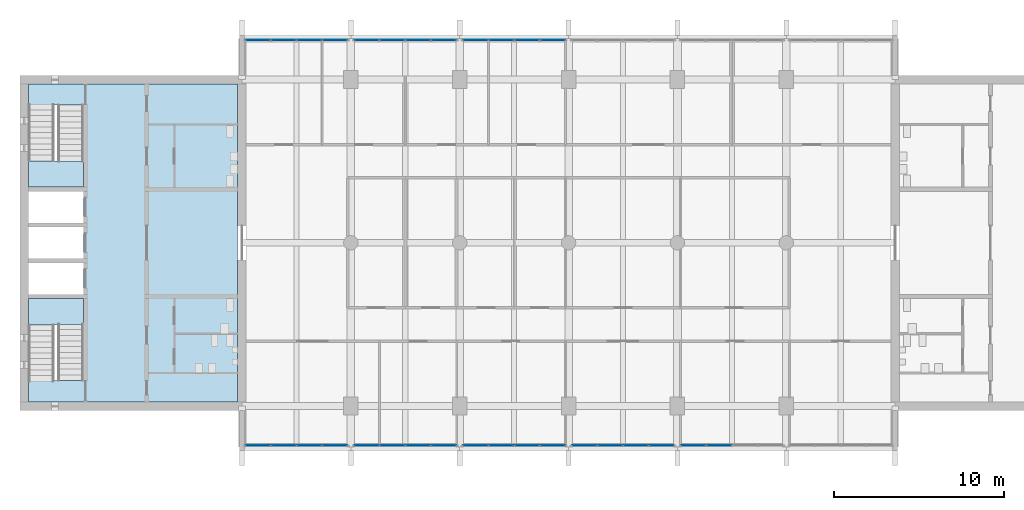
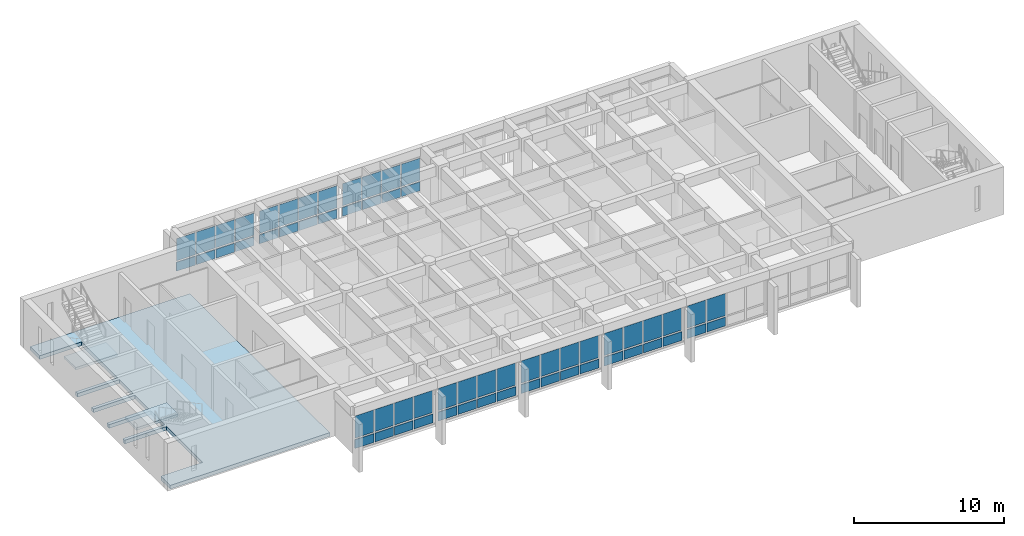
# One storey, part 7 of 15: 60 plates, 3 slabs, 10 elements without a shape of their own.
"""IFC4 building model written with IfcOpenShell, lengths in metres."""

from ifc_helpers import new_model, si_unit, direction, frame, origin, origin_2d, place, context, subcontext, project, spatial, polyline, rectangle, outline, extrude, material, layer, layer_set, type_object, element, aggregate, save


model = new_model("IFC4")

# Units and contexts
model_context = context("Model", 3, precision=1e-05, world=origin(), true_north=direction((0.0, 1.0)))
body_context = subcontext(model_context, "Body", "Model", "MODEL_VIEW")
ifc_project = project(units=[si_unit("LENGTHUNIT", "METRE"), si_unit("AREAUNIT", "SQUARE_METRE"), si_unit("VOLUMEUNIT", "CUBIC_METRE"), si_unit("PLANEANGLEUNIT", "RADIAN"), si_unit("MASSUNIT", "GRAM", prefix="KILO")], contexts=[model_context])

# Site, building, storey
site_placement = place(None, origin())
site = spatial("IfcSite", under=ifc_project, at=site_placement, CompositionType="ELEMENT")
building_placement = place(site_placement, origin())
building = spatial("IfcBuilding", under=site, at=building_placement, Name="Fogon Plaza Fire Station and Headquarters Tower", CompositionType="ELEMENT")
storey_placement = place(building_placement, frame((0.0, 0.0, 52.199951171875)))
storey = spatial("IfcBuildingStorey", under=building, at=storey_placement, Name="L13", CompositionType="ELEMENT", Elevation=52.199951171875)

# Slab
ifc_material_1 = material(Name="Concrete C40", Category="concrete")
ifc_layer_1 = layer(ifc_material_1, 0.300048828125)
ifc_layer_set_1 = layer_set([ifc_layer_1], Name="Concrete C40")
slab_type_1 = type_object("IfcSlabType", Name="Core Floor Slab RC 300", PredefinedType="FLOOR", material=ifc_layer_set_1)
slab_1_placement = place(storey_placement, frame((0.0, 0.0, -0.300048828125)))
element("IfcSlab", 1, at=slab_1_placement, inside=storey, type_object=slab_type_1, Name="Core A floor", PredefinedType="FLOOR", context=body_context, shape_type="SweptSolid", body=[
    extrude(outline(polyline([(13.050048828125, 35.110107421875), (13.050048828125, 33.85009765625), (25.35009765625, 33.85009765625), (25.35009765625, 52.550048828125), (13.050048828125, 52.550048828125), (13.050048828125, 51.2900390625), (16.27490234375, 51.2900390625), (16.27490234375, 46.47509765625), (13.050048828125, 46.47509765625), (13.050048828125, 46.22509765625), (16.27490234375, 46.22509765625), (16.27490234375, 44.375), (13.050048828125, 44.375), (13.050048828125, 44.125), (16.27490234375, 44.125), (16.27490234375, 42.27490234375), (13.050048828125, 42.27490234375), (13.050048828125, 42.02490234375), (16.27490234375, 42.02490234375), (16.27490234375, 40.175048828125), (13.050048828125, 40.175048828125), (13.050048828125, 39.925048828125), (16.27490234375, 39.925048828125), (16.27490234375, 35.110107421875), (13.050048828125, 35.110107421875)])), origin(), (0.0, 0.0, 1.0), 0.300048828125),
])

# Curtain wall, plates
ifc_material_2 = material(Name="Aluminium and glass", Category="aluminium")
ifc_layer_2 = layer(ifc_material_2, 0.14990234375)
ifc_layer_set_2 = layer_set([ifc_layer_2], Name="Aluminium and glass")
curtain_wall_type = type_object("IfcCurtainWallType", Name="Unitised Curtain Wall Run 6100x2880", PredefinedType="NOTDEFINED", material=ifc_layer_set_2)
curtain_wall_1_placement = place(storey_placement, origin())
curtain_wall_1 = element("IfcCurtainWall", 2, at=curtain_wall_1_placement, inside=storey, type_object=curtain_wall_type, Name="CW-6100x2880 S1 L13", PredefinedType="NOTDEFINED")
ifc_material_3 = material(Name="Insulated aluminium spandrel", Category="aluminium")
ifc_layer_3 = layer(ifc_material_3, 0.06005859375)
ifc_layer_set_3 = layer_set([ifc_layer_3], Name="Insulated aluminium spandrel")
plate_type_1 = type_object("IfcPlateType", Name="Insulated Spandrel Panel", PredefinedType="CURTAIN_PANEL", material=ifc_layer_set_3)
plate_1_placement = place(storey_placement, frame((26.534912109375, 31.280029296875, 0.1201171875), z_axis=(0.0, 0.0, 1.0), x_axis=(1.0, 0.0, 0.0)))
plate_1 = element("IfcPlate", 3, at=plate_1_placement, type_object=plate_type_1, Name="SP1 panel 1.1", PredefinedType="CURTAIN_PANEL", context=body_context, shape_type="SweptSolid", body=[
    extrude(rectangle(XDim=1.449951171875, YDim=0.06005859375, at=origin_2d()), origin(), (0.0, 0.0, 1.0), 0.719970703125),
])
plate_2_placement = place(storey_placement, frame((28.044921875, 31.280029296875, 0.1201171875), z_axis=(0.0, 0.0, 1.0), x_axis=(1.0, 0.0, 0.0)))
plate_2 = element("IfcPlate", 4, at=plate_2_placement, type_object=plate_type_1, Name="SP1 panel 2.1", PredefinedType="CURTAIN_PANEL", context=body_context, shape_type="SweptSolid", body=[
    extrude(rectangle(XDim=1.449951171875, YDim=0.06005859375, at=origin_2d()), origin(), (0.0, 0.0, 1.0), 0.719970703125),
])
plate_3_placement = place(storey_placement, frame((29.554931640625, 31.280029296875, 0.1201171875), z_axis=(0.0, 0.0, 1.0), x_axis=(1.0, 0.0, 0.0)))
plate_3 = element("IfcPlate", 5, at=plate_3_placement, type_object=plate_type_1, Name="SP1 panel 3.1", PredefinedType="CURTAIN_PANEL", context=body_context, shape_type="SweptSolid", body=[
    extrude(rectangle(XDim=1.449951171875, YDim=0.06005859375, at=origin_2d()), origin(), (0.0, 0.0, 1.0), 0.719970703125),
])
plate_4_placement = place(storey_placement, frame((31.06494140625, 31.280029296875, 0.1201171875), z_axis=(0.0, 0.0, 1.0), x_axis=(1.0, 0.0, 0.0)))
plate_4 = element("IfcPlate", 6, at=plate_4_placement, type_object=plate_type_1, Name="SP1 panel 4.1", PredefinedType="CURTAIN_PANEL", context=body_context, shape_type="SweptSolid", body=[
    extrude(rectangle(XDim=1.449951171875, YDim=0.06005859375, at=origin_2d()), origin(), (0.0, 0.0, 1.0), 0.719970703125),
])

curtain_wall_2_placement = place(storey_placement, origin())
curtain_wall_2 = element("IfcCurtainWall", 7, at=curtain_wall_2_placement, inside=storey, type_object=curtain_wall_type, Name="CW-6100x2880 S2 L13", PredefinedType="NOTDEFINED")
plate_5_placement = place(storey_placement, frame((32.93505859375, 31.280029296875, 0.1201171875), z_axis=(0.0, 0.0, 1.0), x_axis=(1.0, 0.0, 0.0)))
plate_5 = element("IfcPlate", 8, at=plate_5_placement, type_object=plate_type_1, Name="SP1 panel 1.1", PredefinedType="CURTAIN_PANEL", context=body_context, shape_type="SweptSolid", body=[
    extrude(rectangle(XDim=1.449951171875, YDim=0.06005859375, at=origin_2d()), origin(), (0.0, 0.0, 1.0), 0.719970703125),
])
plate_6_placement = place(storey_placement, frame((34.445068359375, 31.280029296875, 0.1201171875), z_axis=(0.0, 0.0, 1.0), x_axis=(1.0, 0.0, 0.0)))
plate_6 = element("IfcPlate", 9, at=plate_6_placement, type_object=plate_type_1, Name="SP1 panel 2.1", PredefinedType="CURTAIN_PANEL", context=body_context, shape_type="SweptSolid", body=[
    extrude(rectangle(XDim=1.449951171875, YDim=0.06005859375, at=origin_2d()), origin(), (0.0, 0.0, 1.0), 0.719970703125),
])
plate_7_placement = place(storey_placement, frame((35.955078125, 31.280029296875, 0.1201171875), z_axis=(0.0, 0.0, 1.0), x_axis=(1.0, 0.0, 0.0)))
plate_7 = element("IfcPlate", 10, at=plate_7_placement, type_object=plate_type_1, Name="SP1 panel 3.1", PredefinedType="CURTAIN_PANEL", context=body_context, shape_type="SweptSolid", body=[
    extrude(rectangle(XDim=1.449951171875, YDim=0.06005859375, at=origin_2d()), origin(), (0.0, 0.0, 1.0), 0.719970703125),
])
plate_8_placement = place(storey_placement, frame((37.465087890625, 31.280029296875, 0.1201171875), z_axis=(0.0, 0.0, 1.0), x_axis=(1.0, 0.0, 0.0)))
plate_8 = element("IfcPlate", 11, at=plate_8_placement, type_object=plate_type_1, Name="SP1 panel 4.1", PredefinedType="CURTAIN_PANEL", context=body_context, shape_type="SweptSolid", body=[
    extrude(rectangle(XDim=1.449951171875, YDim=0.06005859375, at=origin_2d()), origin(), (0.0, 0.0, 1.0), 0.719970703125),
])

curtain_wall_3_placement = place(storey_placement, origin())
curtain_wall_3 = element("IfcCurtainWall", 12, at=curtain_wall_3_placement, inside=storey, type_object=curtain_wall_type, Name="CW-6100x2880 S3 L13", PredefinedType="NOTDEFINED")
plate_9_placement = place(storey_placement, frame((39.3349609375, 31.280029296875, 0.1201171875), z_axis=(0.0, 0.0, 1.0), x_axis=(1.0, 0.0, 0.0)))
plate_9 = element("IfcPlate", 13, at=plate_9_placement, type_object=plate_type_1, Name="SP1 panel 1.1", PredefinedType="CURTAIN_PANEL", context=body_context, shape_type="SweptSolid", body=[
    extrude(rectangle(XDim=1.449951171875, YDim=0.06005859375, at=origin_2d()), origin(), (0.0, 0.0, 1.0), 0.719970703125),
])
plate_10_placement = place(storey_placement, frame((40.844970703125, 31.280029296875, 0.1201171875), z_axis=(0.0, 0.0, 1.0), x_axis=(1.0, 0.0, 0.0)))
plate_10 = element("IfcPlate", 14, at=plate_10_placement, type_object=plate_type_1, Name="SP1 panel 2.1", PredefinedType="CURTAIN_PANEL", context=body_context, shape_type="SweptSolid", body=[
    extrude(rectangle(XDim=1.449951171875, YDim=0.06005859375, at=origin_2d()), origin(), (0.0, 0.0, 1.0), 0.719970703125),
])
plate_11_placement = place(storey_placement, frame((42.35498046875, 31.280029296875, 0.1201171875), z_axis=(0.0, 0.0, 1.0), x_axis=(1.0, 0.0, 0.0)))
plate_11 = element("IfcPlate", 15, at=plate_11_placement, type_object=plate_type_1, Name="SP1 panel 3.1", PredefinedType="CURTAIN_PANEL", context=body_context, shape_type="SweptSolid", body=[
    extrude(rectangle(XDim=1.449951171875, YDim=0.06005859375, at=origin_2d()), origin(), (0.0, 0.0, 1.0), 0.719970703125),
])
plate_12_placement = place(storey_placement, frame((43.864990234375, 31.280029296875, 0.1201171875), z_axis=(0.0, 0.0, 1.0), x_axis=(1.0, 0.0, 0.0)))
plate_12 = element("IfcPlate", 16, at=plate_12_placement, type_object=plate_type_1, Name="SP1 panel 4.1", PredefinedType="CURTAIN_PANEL", context=body_context, shape_type="SweptSolid", body=[
    extrude(rectangle(XDim=1.449951171875, YDim=0.06005859375, at=origin_2d()), origin(), (0.0, 0.0, 1.0), 0.719970703125),
])

curtain_wall_4_placement = place(storey_placement, origin())
curtain_wall_4 = element("IfcCurtainWall", 17, at=curtain_wall_4_placement, inside=storey, type_object=curtain_wall_type, Name="CW-6100x2880 S4 L13", PredefinedType="NOTDEFINED")
plate_13_placement = place(storey_placement, frame((45.735107421875, 31.280029296875, 0.1201171875), z_axis=(0.0, 0.0, 1.0), x_axis=(1.0, 0.0, 0.0)))
plate_13 = element("IfcPlate", 18, at=plate_13_placement, type_object=plate_type_1, Name="SP1 panel 1.1", PredefinedType="CURTAIN_PANEL", context=body_context, shape_type="SweptSolid", body=[
    extrude(rectangle(XDim=1.449951171875, YDim=0.06005859375, at=origin_2d()), origin(), (0.0, 0.0, 1.0), 0.719970703125),
])
plate_14_placement = place(storey_placement, frame((47.2451171875, 31.280029296875, 0.1201171875), z_axis=(0.0, 0.0, 1.0), x_axis=(1.0, 0.0, 0.0)))
plate_14 = element("IfcPlate", 19, at=plate_14_placement, type_object=plate_type_1, Name="SP1 panel 2.1", PredefinedType="CURTAIN_PANEL", context=body_context, shape_type="SweptSolid", body=[
    extrude(rectangle(XDim=1.449951171875, YDim=0.06005859375, at=origin_2d()), origin(), (0.0, 0.0, 1.0), 0.719970703125),
])
plate_15_placement = place(storey_placement, frame((48.7548828125, 31.280029296875, 0.1201171875), z_axis=(0.0, 0.0, 1.0), x_axis=(1.0, 0.0, 0.0)))
plate_15 = element("IfcPlate", 20, at=plate_15_placement, type_object=plate_type_1, Name="SP1 panel 3.1", PredefinedType="CURTAIN_PANEL", context=body_context, shape_type="SweptSolid", body=[
    extrude(rectangle(XDim=1.449951171875, YDim=0.06005859375, at=origin_2d()), origin(), (0.0, 0.0, 1.0), 0.719970703125),
])
plate_16_placement = place(storey_placement, frame((50.264892578125, 31.280029296875, 0.1201171875), z_axis=(0.0, 0.0, 1.0), x_axis=(1.0, 0.0, 0.0)))
plate_16 = element("IfcPlate", 21, at=plate_16_placement, type_object=plate_type_1, Name="SP1 panel 4.1", PredefinedType="CURTAIN_PANEL", context=body_context, shape_type="SweptSolid", body=[
    extrude(rectangle(XDim=1.449951171875, YDim=0.06005859375, at=origin_2d()), origin(), (0.0, 0.0, 1.0), 0.719970703125),
])

curtain_wall_5_placement = place(storey_placement, origin())
curtain_wall_5 = element("IfcCurtainWall", 22, at=curtain_wall_5_placement, inside=storey, type_object=curtain_wall_type, Name="CW-6100x2880 S5 L13", PredefinedType="NOTDEFINED")
plate_17_placement = place(storey_placement, frame((52.135009765625, 31.280029296875, 0.1201171875), z_axis=(0.0, 0.0, 1.0), x_axis=(1.0, 0.0, 0.0)))
plate_17 = element("IfcPlate", 23, at=plate_17_placement, type_object=plate_type_1, Name="SP1 panel 1.1", PredefinedType="CURTAIN_PANEL", context=body_context, shape_type="SweptSolid", body=[
    extrude(rectangle(XDim=1.449951171875, YDim=0.06005859375, at=origin_2d()), origin(), (0.0, 0.0, 1.0), 0.719970703125),
])
plate_18_placement = place(storey_placement, frame((53.64501953125, 31.280029296875, 0.1201171875), z_axis=(0.0, 0.0, 1.0), x_axis=(1.0, 0.0, 0.0)))
plate_18 = element("IfcPlate", 24, at=plate_18_placement, type_object=plate_type_1, Name="SP1 panel 2.1", PredefinedType="CURTAIN_PANEL", context=body_context, shape_type="SweptSolid", body=[
    extrude(rectangle(XDim=1.449951171875, YDim=0.06005859375, at=origin_2d()), origin(), (0.0, 0.0, 1.0), 0.719970703125),
])

curtain_wall_6_placement = place(storey_placement, origin())
curtain_wall_6 = element("IfcCurtainWall", 25, at=curtain_wall_6_placement, inside=storey, type_object=curtain_wall_type, Name="CW-6100x2880 N1 L13", PredefinedType="NOTDEFINED")
plate_19_placement = place(storey_placement, frame((26.534912109375, 55.1201171875, 0.1201171875), z_axis=(0.0, 0.0, 1.0), x_axis=(1.0, 0.0, 0.0)))
plate_19 = element("IfcPlate", 26, at=plate_19_placement, type_object=plate_type_1, Name="SP1 panel 1.1", PredefinedType="CURTAIN_PANEL", context=body_context, shape_type="SweptSolid", body=[
    extrude(rectangle(XDim=1.449951171875, YDim=0.06005859375, at=origin_2d()), origin(), (0.0, 0.0, 1.0), 0.719970703125),
])
plate_20_placement = place(storey_placement, frame((28.044921875, 55.1201171875, 0.1201171875), z_axis=(0.0, 0.0, 1.0), x_axis=(1.0, 0.0, 0.0)))
plate_20 = element("IfcPlate", 27, at=plate_20_placement, type_object=plate_type_1, Name="SP1 panel 2.1", PredefinedType="CURTAIN_PANEL", context=body_context, shape_type="SweptSolid", body=[
    extrude(rectangle(XDim=1.449951171875, YDim=0.06005859375, at=origin_2d()), origin(), (0.0, 0.0, 1.0), 0.719970703125),
])
plate_21_placement = place(storey_placement, frame((29.554931640625, 55.1201171875, 0.1201171875), z_axis=(0.0, 0.0, 1.0), x_axis=(1.0, 0.0, 0.0)))
plate_21 = element("IfcPlate", 28, at=plate_21_placement, type_object=plate_type_1, Name="SP1 panel 3.1", PredefinedType="CURTAIN_PANEL", context=body_context, shape_type="SweptSolid", body=[
    extrude(rectangle(XDim=1.449951171875, YDim=0.06005859375, at=origin_2d()), origin(), (0.0, 0.0, 1.0), 0.719970703125),
])
plate_22_placement = place(storey_placement, frame((31.06494140625, 55.1201171875, 0.1201171875), z_axis=(0.0, 0.0, 1.0), x_axis=(1.0, 0.0, 0.0)))
plate_22 = element("IfcPlate", 29, at=plate_22_placement, type_object=plate_type_1, Name="SP1 panel 4.1", PredefinedType="CURTAIN_PANEL", context=body_context, shape_type="SweptSolid", body=[
    extrude(rectangle(XDim=1.449951171875, YDim=0.06005859375, at=origin_2d()), origin(), (0.0, 0.0, 1.0), 0.719970703125),
])

curtain_wall_7_placement = place(storey_placement, origin())
curtain_wall_7 = element("IfcCurtainWall", 30, at=curtain_wall_7_placement, inside=storey, type_object=curtain_wall_type, Name="CW-6100x2880 N2 L13", PredefinedType="NOTDEFINED")
plate_23_placement = place(storey_placement, frame((32.93505859375, 55.1201171875, 0.1201171875), z_axis=(0.0, 0.0, 1.0), x_axis=(1.0, 0.0, 0.0)))
plate_23 = element("IfcPlate", 31, at=plate_23_placement, type_object=plate_type_1, Name="SP1 panel 1.1", PredefinedType="CURTAIN_PANEL", context=body_context, shape_type="SweptSolid", body=[
    extrude(rectangle(XDim=1.449951171875, YDim=0.06005859375, at=origin_2d()), origin(), (0.0, 0.0, 1.0), 0.719970703125),
])
plate_24_placement = place(storey_placement, frame((34.445068359375, 55.1201171875, 0.1201171875), z_axis=(0.0, 0.0, 1.0), x_axis=(1.0, 0.0, 0.0)))
plate_24 = element("IfcPlate", 32, at=plate_24_placement, type_object=plate_type_1, Name="SP1 panel 2.1", PredefinedType="CURTAIN_PANEL", context=body_context, shape_type="SweptSolid", body=[
    extrude(rectangle(XDim=1.449951171875, YDim=0.06005859375, at=origin_2d()), origin(), (0.0, 0.0, 1.0), 0.719970703125),
])
plate_25_placement = place(storey_placement, frame((35.955078125, 55.1201171875, 0.1201171875), z_axis=(0.0, 0.0, 1.0), x_axis=(1.0, 0.0, 0.0)))
plate_25 = element("IfcPlate", 33, at=plate_25_placement, type_object=plate_type_1, Name="SP1 panel 3.1", PredefinedType="CURTAIN_PANEL", context=body_context, shape_type="SweptSolid", body=[
    extrude(rectangle(XDim=1.449951171875, YDim=0.06005859375, at=origin_2d()), origin(), (0.0, 0.0, 1.0), 0.719970703125),
])
plate_26_placement = place(storey_placement, frame((37.465087890625, 55.1201171875, 0.1201171875), z_axis=(0.0, 0.0, 1.0), x_axis=(1.0, 0.0, 0.0)))
plate_26 = element("IfcPlate", 34, at=plate_26_placement, type_object=plate_type_1, Name="SP1 panel 4.1", PredefinedType="CURTAIN_PANEL", context=body_context, shape_type="SweptSolid", body=[
    extrude(rectangle(XDim=1.449951171875, YDim=0.06005859375, at=origin_2d()), origin(), (0.0, 0.0, 1.0), 0.719970703125),
])

curtain_wall_8_placement = place(storey_placement, origin())
curtain_wall_8 = element("IfcCurtainWall", 35, at=curtain_wall_8_placement, inside=storey, type_object=curtain_wall_type, Name="CW-6100x2880 N3 L13", PredefinedType="NOTDEFINED")
plate_27_placement = place(storey_placement, frame((39.3349609375, 55.1201171875, 0.1201171875), z_axis=(0.0, 0.0, 1.0), x_axis=(1.0, 0.0, 0.0)))
plate_27 = element("IfcPlate", 36, at=plate_27_placement, type_object=plate_type_1, Name="SP1 panel 1.1", PredefinedType="CURTAIN_PANEL", context=body_context, shape_type="SweptSolid", body=[
    extrude(rectangle(XDim=1.449951171875, YDim=0.06005859375, at=origin_2d()), origin(), (0.0, 0.0, 1.0), 0.719970703125),
])
plate_28_placement = place(storey_placement, frame((40.844970703125, 55.1201171875, 0.1201171875), z_axis=(0.0, 0.0, 1.0), x_axis=(1.0, 0.0, 0.0)))
plate_28 = element("IfcPlate", 37, at=plate_28_placement, type_object=plate_type_1, Name="SP1 panel 2.1", PredefinedType="CURTAIN_PANEL", context=body_context, shape_type="SweptSolid", body=[
    extrude(rectangle(XDim=1.449951171875, YDim=0.06005859375, at=origin_2d()), origin(), (0.0, 0.0, 1.0), 0.719970703125),
])
plate_29_placement = place(storey_placement, frame((42.35498046875, 55.1201171875, 0.1201171875), z_axis=(0.0, 0.0, 1.0), x_axis=(1.0, 0.0, 0.0)))
plate_29 = element("IfcPlate", 38, at=plate_29_placement, type_object=plate_type_1, Name="SP1 panel 3.1", PredefinedType="CURTAIN_PANEL", context=body_context, shape_type="SweptSolid", body=[
    extrude(rectangle(XDim=1.449951171875, YDim=0.06005859375, at=origin_2d()), origin(), (0.0, 0.0, 1.0), 0.719970703125),
])
plate_30_placement = place(storey_placement, frame((43.864990234375, 55.1201171875, 0.1201171875), z_axis=(0.0, 0.0, 1.0), x_axis=(1.0, 0.0, 0.0)))
plate_30 = element("IfcPlate", 39, at=plate_30_placement, type_object=plate_type_1, Name="SP1 panel 4.1", PredefinedType="CURTAIN_PANEL", context=body_context, shape_type="SweptSolid", body=[
    extrude(rectangle(XDim=1.449951171875, YDim=0.06005859375, at=origin_2d()), origin(), (0.0, 0.0, 1.0), 0.719970703125),
])

# Stair, slab
ifc_material_4 = material(Name="Concrete C40", Category="concrete")
stair_type = type_object("IfcStairType", Name="Exit Stair Two Flights", PredefinedType="TWO_STRAIGHT_RUN_STAIR", material=ifc_material_4)
stair_1_placement = place(storey_placement, origin())
stair_1 = element("IfcStair", 40, at=stair_1_placement, inside=storey, type_object=stair_type, Name="Stair ST1", PredefinedType="TWO_STRAIGHT_RUN_STAIR")
ifc_material_5 = material(Name="Concrete C40", Category="concrete")
ifc_layer_4 = layer(ifc_material_5, 0.300048828125)
ifc_layer_set_4 = layer_set([ifc_layer_4], Name="Concrete C40")
slab_type_2 = type_object("IfcSlabType", Name="Stair Landing RC 300", PredefinedType="LANDING", material=ifc_layer_set_4)
slab_2_placement = place(storey_placement, frame((0.0, 0.0, 1.75)))
slab_2 = element("IfcSlab", 41, at=slab_2_placement, type_object=slab_type_2, Name="ST1 landing L15", PredefinedType="LANDING", context=body_context, shape_type="SweptSolid", body=[
    extrude(outline(polyline([(16.27490234375, 38.375), (16.27490234375, 39.925048828125), (13.050048828125, 39.925048828125), (13.050048828125, 38.375), (16.27490234375, 38.375)])), origin(), (0.0, 0.0, 1.0), 0.199951171875),
])
aggregate(stair_1, [slab_2])

stair_2_placement = place(storey_placement, origin())
stair_2 = element("IfcStair", 42, at=stair_2_placement, inside=storey, type_object=stair_type, Name="Stair ST2", PredefinedType="TWO_STRAIGHT_RUN_STAIR")
slab_3_placement = place(storey_placement, frame((0.0, 0.0, 1.75)))
slab_3 = element("IfcSlab", 43, at=slab_3_placement, type_object=slab_type_2, Name="ST2 landing L15", PredefinedType="LANDING", context=body_context, shape_type="SweptSolid", body=[
    extrude(outline(polyline([(16.27490234375, 46.47509765625), (16.27490234375, 48.02490234375), (13.050048828125, 48.02490234375), (13.050048828125, 46.47509765625), (16.27490234375, 46.47509765625)])), origin(), (0.0, 0.0, 1.0), 0.199951171875),
])
aggregate(stair_2, [slab_3])

# Plate
ifc_material_6 = material(Name="Low-e double glazing", Category="glass")
ifc_layer_5 = layer(ifc_material_6, 0.028076171875)
ifc_layer_set_5 = layer_set([ifc_layer_5], Name="Low-e double glazing")
plate_type_2 = type_object("IfcPlateType", Name="Vision Glass Panel 1450x1800", PredefinedType="CURTAIN_PANEL", material=ifc_layer_set_5)
plate_31_placement = place(storey_placement, frame((26.534912109375, 31.280029296875, 0.9599609375), z_axis=(0.0, 0.0, 1.0), x_axis=(1.0, 0.0, 0.0)))
plate_31 = element("IfcPlate", 44, at=plate_31_placement, type_object=plate_type_2, Name="VG-1450x1800 panel 1.2", PredefinedType="CURTAIN_PANEL", context=body_context, shape_type="SweptSolid", body=[
    extrude(rectangle(XDim=1.449951171875, YDim=0.028076171875, at=origin_2d()), origin(), (0.0, 0.0, 1.0), 1.800048828125),
])

plate_32_placement = place(storey_placement, frame((28.044921875, 31.280029296875, 0.9599609375), z_axis=(0.0, 0.0, 1.0), x_axis=(1.0, 0.0, 0.0)))
plate_32 = element("IfcPlate", 45, at=plate_32_placement, type_object=plate_type_2, Name="VG-1450x1800 panel 2.2", PredefinedType="CURTAIN_PANEL", context=body_context, shape_type="SweptSolid", body=[
    extrude(rectangle(XDim=1.449951171875, YDim=0.028076171875, at=origin_2d()), origin(), (0.0, 0.0, 1.0), 1.800048828125),
])

plate_33_placement = place(storey_placement, frame((29.554931640625, 31.280029296875, 0.9599609375), z_axis=(0.0, 0.0, 1.0), x_axis=(1.0, 0.0, 0.0)))
plate_33 = element("IfcPlate", 46, at=plate_33_placement, type_object=plate_type_2, Name="VG-1450x1800 panel 3.2", PredefinedType="CURTAIN_PANEL", context=body_context, shape_type="SweptSolid", body=[
    extrude(rectangle(XDim=1.449951171875, YDim=0.028076171875, at=origin_2d()), origin(), (0.0, 0.0, 1.0), 1.800048828125),
])

plate_34_placement = place(storey_placement, frame((31.06494140625, 31.280029296875, 0.9599609375), z_axis=(0.0, 0.0, 1.0), x_axis=(1.0, 0.0, 0.0)))
plate_34 = element("IfcPlate", 47, at=plate_34_placement, type_object=plate_type_2, Name="VG-1450x1800 panel 4.2", PredefinedType="CURTAIN_PANEL", context=body_context, shape_type="SweptSolid", body=[
    extrude(rectangle(XDim=1.449951171875, YDim=0.028076171875, at=origin_2d()), origin(), (0.0, 0.0, 1.0), 1.800048828125),
])

aggregate(curtain_wall_1, [plate_1, plate_31, plate_2, plate_32, plate_3, plate_33, plate_4, plate_34])

plate_35_placement = place(storey_placement, frame((32.93505859375, 31.280029296875, 0.9599609375), z_axis=(0.0, 0.0, 1.0), x_axis=(1.0, 0.0, 0.0)))
plate_35 = element("IfcPlate", 48, at=plate_35_placement, type_object=plate_type_2, Name="VG-1450x1800 panel 1.2", PredefinedType="CURTAIN_PANEL", context=body_context, shape_type="SweptSolid", body=[
    extrude(rectangle(XDim=1.449951171875, YDim=0.028076171875, at=origin_2d()), origin(), (0.0, 0.0, 1.0), 1.800048828125),
])

plate_36_placement = place(storey_placement, frame((34.445068359375, 31.280029296875, 0.9599609375), z_axis=(0.0, 0.0, 1.0), x_axis=(1.0, 0.0, 0.0)))
plate_36 = element("IfcPlate", 49, at=plate_36_placement, type_object=plate_type_2, Name="VG-1450x1800 panel 2.2", PredefinedType="CURTAIN_PANEL", context=body_context, shape_type="SweptSolid", body=[
    extrude(rectangle(XDim=1.449951171875, YDim=0.028076171875, at=origin_2d()), origin(), (0.0, 0.0, 1.0), 1.800048828125),
])

plate_37_placement = place(storey_placement, frame((35.955078125, 31.280029296875, 0.9599609375), z_axis=(0.0, 0.0, 1.0), x_axis=(1.0, 0.0, 0.0)))
plate_37 = element("IfcPlate", 50, at=plate_37_placement, type_object=plate_type_2, Name="VG-1450x1800 panel 3.2", PredefinedType="CURTAIN_PANEL", context=body_context, shape_type="SweptSolid", body=[
    extrude(rectangle(XDim=1.449951171875, YDim=0.028076171875, at=origin_2d()), origin(), (0.0, 0.0, 1.0), 1.800048828125),
])

plate_38_placement = place(storey_placement, frame((37.465087890625, 31.280029296875, 0.9599609375), z_axis=(0.0, 0.0, 1.0), x_axis=(1.0, 0.0, 0.0)))
plate_38 = element("IfcPlate", 51, at=plate_38_placement, type_object=plate_type_2, Name="VG-1450x1800 panel 4.2", PredefinedType="CURTAIN_PANEL", context=body_context, shape_type="SweptSolid", body=[
    extrude(rectangle(XDim=1.449951171875, YDim=0.028076171875, at=origin_2d()), origin(), (0.0, 0.0, 1.0), 1.800048828125),
])

aggregate(curtain_wall_2, [plate_5, plate_35, plate_6, plate_36, plate_7, plate_37, plate_8, plate_38])

plate_39_placement = place(storey_placement, frame((39.3349609375, 31.280029296875, 0.9599609375), z_axis=(0.0, 0.0, 1.0), x_axis=(1.0, 0.0, 0.0)))
plate_39 = element("IfcPlate", 52, at=plate_39_placement, type_object=plate_type_2, Name="VG-1450x1800 panel 1.2", PredefinedType="CURTAIN_PANEL", context=body_context, shape_type="SweptSolid", body=[
    extrude(rectangle(XDim=1.449951171875, YDim=0.028076171875, at=origin_2d()), origin(), (0.0, 0.0, 1.0), 1.800048828125),
])

plate_40_placement = place(storey_placement, frame((40.844970703125, 31.280029296875, 0.9599609375), z_axis=(0.0, 0.0, 1.0), x_axis=(1.0, 0.0, 0.0)))
plate_40 = element("IfcPlate", 53, at=plate_40_placement, type_object=plate_type_2, Name="VG-1450x1800 panel 2.2", PredefinedType="CURTAIN_PANEL", context=body_context, shape_type="SweptSolid", body=[
    extrude(rectangle(XDim=1.449951171875, YDim=0.028076171875, at=origin_2d()), origin(), (0.0, 0.0, 1.0), 1.800048828125),
])

plate_41_placement = place(storey_placement, frame((42.35498046875, 31.280029296875, 0.9599609375), z_axis=(0.0, 0.0, 1.0), x_axis=(1.0, 0.0, 0.0)))
plate_41 = element("IfcPlate", 54, at=plate_41_placement, type_object=plate_type_2, Name="VG-1450x1800 panel 3.2", PredefinedType="CURTAIN_PANEL", context=body_context, shape_type="SweptSolid", body=[
    extrude(rectangle(XDim=1.449951171875, YDim=0.028076171875, at=origin_2d()), origin(), (0.0, 0.0, 1.0), 1.800048828125),
])

plate_42_placement = place(storey_placement, frame((43.864990234375, 31.280029296875, 0.9599609375), z_axis=(0.0, 0.0, 1.0), x_axis=(1.0, 0.0, 0.0)))
plate_42 = element("IfcPlate", 55, at=plate_42_placement, type_object=plate_type_2, Name="VG-1450x1800 panel 4.2", PredefinedType="CURTAIN_PANEL", context=body_context, shape_type="SweptSolid", body=[
    extrude(rectangle(XDim=1.449951171875, YDim=0.028076171875, at=origin_2d()), origin(), (0.0, 0.0, 1.0), 1.800048828125),
])

aggregate(curtain_wall_3, [plate_9, plate_39, plate_10, plate_40, plate_11, plate_41, plate_12, plate_42])

plate_43_placement = place(storey_placement, frame((45.735107421875, 31.280029296875, 0.9599609375), z_axis=(0.0, 0.0, 1.0), x_axis=(1.0, 0.0, 0.0)))
plate_43 = element("IfcPlate", 56, at=plate_43_placement, type_object=plate_type_2, Name="VG-1450x1800 panel 1.2", PredefinedType="CURTAIN_PANEL", context=body_context, shape_type="SweptSolid", body=[
    extrude(rectangle(XDim=1.449951171875, YDim=0.028076171875, at=origin_2d()), origin(), (0.0, 0.0, 1.0), 1.800048828125),
])

plate_44_placement = place(storey_placement, frame((47.2451171875, 31.280029296875, 0.9599609375), z_axis=(0.0, 0.0, 1.0), x_axis=(1.0, 0.0, 0.0)))
plate_44 = element("IfcPlate", 57, at=plate_44_placement, type_object=plate_type_2, Name="VG-1450x1800 panel 2.2", PredefinedType="CURTAIN_PANEL", context=body_context, shape_type="SweptSolid", body=[
    extrude(rectangle(XDim=1.449951171875, YDim=0.028076171875, at=origin_2d()), origin(), (0.0, 0.0, 1.0), 1.800048828125),
])

plate_45_placement = place(storey_placement, frame((48.7548828125, 31.280029296875, 0.9599609375), z_axis=(0.0, 0.0, 1.0), x_axis=(1.0, 0.0, 0.0)))
plate_45 = element("IfcPlate", 58, at=plate_45_placement, type_object=plate_type_2, Name="VG-1450x1800 panel 3.2", PredefinedType="CURTAIN_PANEL", context=body_context, shape_type="SweptSolid", body=[
    extrude(rectangle(XDim=1.449951171875, YDim=0.028076171875, at=origin_2d()), origin(), (0.0, 0.0, 1.0), 1.800048828125),
])

plate_46_placement = place(storey_placement, frame((50.264892578125, 31.280029296875, 0.9599609375), z_axis=(0.0, 0.0, 1.0), x_axis=(1.0, 0.0, 0.0)))
plate_46 = element("IfcPlate", 59, at=plate_46_placement, type_object=plate_type_2, Name="VG-1450x1800 panel 4.2", PredefinedType="CURTAIN_PANEL", context=body_context, shape_type="SweptSolid", body=[
    extrude(rectangle(XDim=1.449951171875, YDim=0.028076171875, at=origin_2d()), origin(), (0.0, 0.0, 1.0), 1.800048828125),
])

aggregate(curtain_wall_4, [plate_13, plate_43, plate_14, plate_44, plate_15, plate_45, plate_16, plate_46])

plate_47_placement = place(storey_placement, frame((52.135009765625, 31.280029296875, 0.9599609375), z_axis=(0.0, 0.0, 1.0), x_axis=(1.0, 0.0, 0.0)))
plate_47 = element("IfcPlate", 60, at=plate_47_placement, type_object=plate_type_2, Name="VG-1450x1800 panel 1.2", PredefinedType="CURTAIN_PANEL", context=body_context, shape_type="SweptSolid", body=[
    extrude(rectangle(XDim=1.449951171875, YDim=0.028076171875, at=origin_2d()), origin(), (0.0, 0.0, 1.0), 1.800048828125),
])

plate_48_placement = place(storey_placement, frame((53.64501953125, 31.280029296875, 0.9599609375), z_axis=(0.0, 0.0, 1.0), x_axis=(1.0, 0.0, 0.0)))
plate_48 = element("IfcPlate", 61, at=plate_48_placement, type_object=plate_type_2, Name="VG-1450x1800 panel 2.2", PredefinedType="CURTAIN_PANEL", context=body_context, shape_type="SweptSolid", body=[
    extrude(rectangle(XDim=1.449951171875, YDim=0.028076171875, at=origin_2d()), origin(), (0.0, 0.0, 1.0), 1.800048828125),
])

aggregate(curtain_wall_5, [plate_17, plate_47, plate_18, plate_48])

plate_49_placement = place(storey_placement, frame((26.534912109375, 55.1201171875, 0.9599609375), z_axis=(0.0, 0.0, 1.0), x_axis=(1.0, 0.0, 0.0)))
plate_49 = element("IfcPlate", 62, at=plate_49_placement, type_object=plate_type_2, Name="VG-1450x1800 panel 1.2", PredefinedType="CURTAIN_PANEL", context=body_context, shape_type="SweptSolid", body=[
    extrude(rectangle(XDim=1.449951171875, YDim=0.028076171875, at=origin_2d()), origin(), (0.0, 0.0, 1.0), 1.800048828125),
])

plate_50_placement = place(storey_placement, frame((28.044921875, 55.1201171875, 0.9599609375), z_axis=(0.0, 0.0, 1.0), x_axis=(1.0, 0.0, 0.0)))
plate_50 = element("IfcPlate", 63, at=plate_50_placement, type_object=plate_type_2, Name="VG-1450x1800 panel 2.2", PredefinedType="CURTAIN_PANEL", context=body_context, shape_type="SweptSolid", body=[
    extrude(rectangle(XDim=1.449951171875, YDim=0.028076171875, at=origin_2d()), origin(), (0.0, 0.0, 1.0), 1.800048828125),
])

plate_51_placement = place(storey_placement, frame((29.554931640625, 55.1201171875, 0.9599609375), z_axis=(0.0, 0.0, 1.0), x_axis=(1.0, 0.0, 0.0)))
plate_51 = element("IfcPlate", 64, at=plate_51_placement, type_object=plate_type_2, Name="VG-1450x1800 panel 3.2", PredefinedType="CURTAIN_PANEL", context=body_context, shape_type="SweptSolid", body=[
    extrude(rectangle(XDim=1.449951171875, YDim=0.028076171875, at=origin_2d()), origin(), (0.0, 0.0, 1.0), 1.800048828125),
])

plate_52_placement = place(storey_placement, frame((31.06494140625, 55.1201171875, 0.9599609375), z_axis=(0.0, 0.0, 1.0), x_axis=(1.0, 0.0, 0.0)))
plate_52 = element("IfcPlate", 65, at=plate_52_placement, type_object=plate_type_2, Name="VG-1450x1800 panel 4.2", PredefinedType="CURTAIN_PANEL", context=body_context, shape_type="SweptSolid", body=[
    extrude(rectangle(XDim=1.449951171875, YDim=0.028076171875, at=origin_2d()), origin(), (0.0, 0.0, 1.0), 1.800048828125),
])

aggregate(curtain_wall_6, [plate_19, plate_49, plate_20, plate_50, plate_21, plate_51, plate_22, plate_52])

plate_53_placement = place(storey_placement, frame((32.93505859375, 55.1201171875, 0.9599609375), z_axis=(0.0, 0.0, 1.0), x_axis=(1.0, 0.0, 0.0)))
plate_53 = element("IfcPlate", 66, at=plate_53_placement, type_object=plate_type_2, Name="VG-1450x1800 panel 1.2", PredefinedType="CURTAIN_PANEL", context=body_context, shape_type="SweptSolid", body=[
    extrude(rectangle(XDim=1.449951171875, YDim=0.028076171875, at=origin_2d()), origin(), (0.0, 0.0, 1.0), 1.800048828125),
])

plate_54_placement = place(storey_placement, frame((34.445068359375, 55.1201171875, 0.9599609375), z_axis=(0.0, 0.0, 1.0), x_axis=(1.0, 0.0, 0.0)))
plate_54 = element("IfcPlate", 67, at=plate_54_placement, type_object=plate_type_2, Name="VG-1450x1800 panel 2.2", PredefinedType="CURTAIN_PANEL", context=body_context, shape_type="SweptSolid", body=[
    extrude(rectangle(XDim=1.449951171875, YDim=0.028076171875, at=origin_2d()), origin(), (0.0, 0.0, 1.0), 1.800048828125),
])

plate_55_placement = place(storey_placement, frame((35.955078125, 55.1201171875, 0.9599609375), z_axis=(0.0, 0.0, 1.0), x_axis=(1.0, 0.0, 0.0)))
plate_55 = element("IfcPlate", 68, at=plate_55_placement, type_object=plate_type_2, Name="VG-1450x1800 panel 3.2", PredefinedType="CURTAIN_PANEL", context=body_context, shape_type="SweptSolid", body=[
    extrude(rectangle(XDim=1.449951171875, YDim=0.028076171875, at=origin_2d()), origin(), (0.0, 0.0, 1.0), 1.800048828125),
])

plate_56_placement = place(storey_placement, frame((37.465087890625, 55.1201171875, 0.9599609375), z_axis=(0.0, 0.0, 1.0), x_axis=(1.0, 0.0, 0.0)))
plate_56 = element("IfcPlate", 69, at=plate_56_placement, type_object=plate_type_2, Name="VG-1450x1800 panel 4.2", PredefinedType="CURTAIN_PANEL", context=body_context, shape_type="SweptSolid", body=[
    extrude(rectangle(XDim=1.449951171875, YDim=0.028076171875, at=origin_2d()), origin(), (0.0, 0.0, 1.0), 1.800048828125),
])

aggregate(curtain_wall_7, [plate_23, plate_53, plate_24, plate_54, plate_25, plate_55, plate_26, plate_56])

plate_57_placement = place(storey_placement, frame((39.3349609375, 55.1201171875, 0.9599609375), z_axis=(0.0, 0.0, 1.0), x_axis=(1.0, 0.0, 0.0)))
plate_57 = element("IfcPlate", 70, at=plate_57_placement, type_object=plate_type_2, Name="VG-1450x1800 panel 1.2", PredefinedType="CURTAIN_PANEL", context=body_context, shape_type="SweptSolid", body=[
    extrude(rectangle(XDim=1.449951171875, YDim=0.028076171875, at=origin_2d()), origin(), (0.0, 0.0, 1.0), 1.800048828125),
])

plate_58_placement = place(storey_placement, frame((40.844970703125, 55.1201171875, 0.9599609375), z_axis=(0.0, 0.0, 1.0), x_axis=(1.0, 0.0, 0.0)))
plate_58 = element("IfcPlate", 71, at=plate_58_placement, type_object=plate_type_2, Name="VG-1450x1800 panel 2.2", PredefinedType="CURTAIN_PANEL", context=body_context, shape_type="SweptSolid", body=[
    extrude(rectangle(XDim=1.449951171875, YDim=0.028076171875, at=origin_2d()), origin(), (0.0, 0.0, 1.0), 1.800048828125),
])

plate_59_placement = place(storey_placement, frame((42.35498046875, 55.1201171875, 0.9599609375), z_axis=(0.0, 0.0, 1.0), x_axis=(1.0, 0.0, 0.0)))
plate_59 = element("IfcPlate", 72, at=plate_59_placement, type_object=plate_type_2, Name="VG-1450x1800 panel 3.2", PredefinedType="CURTAIN_PANEL", context=body_context, shape_type="SweptSolid", body=[
    extrude(rectangle(XDim=1.449951171875, YDim=0.028076171875, at=origin_2d()), origin(), (0.0, 0.0, 1.0), 1.800048828125),
])

plate_60_placement = place(storey_placement, frame((43.864990234375, 55.1201171875, 0.9599609375), z_axis=(0.0, 0.0, 1.0), x_axis=(1.0, 0.0, 0.0)))
plate_60 = element("IfcPlate", 73, at=plate_60_placement, type_object=plate_type_2, Name="VG-1450x1800 panel 4.2", PredefinedType="CURTAIN_PANEL", context=body_context, shape_type="SweptSolid", body=[
    extrude(rectangle(XDim=1.449951171875, YDim=0.028076171875, at=origin_2d()), origin(), (0.0, 0.0, 1.0), 1.800048828125),
])

aggregate(curtain_wall_8, [plate_27, plate_57, plate_28, plate_58, plate_29, plate_59, plate_30, plate_60])

save(model, "model.ifc")
